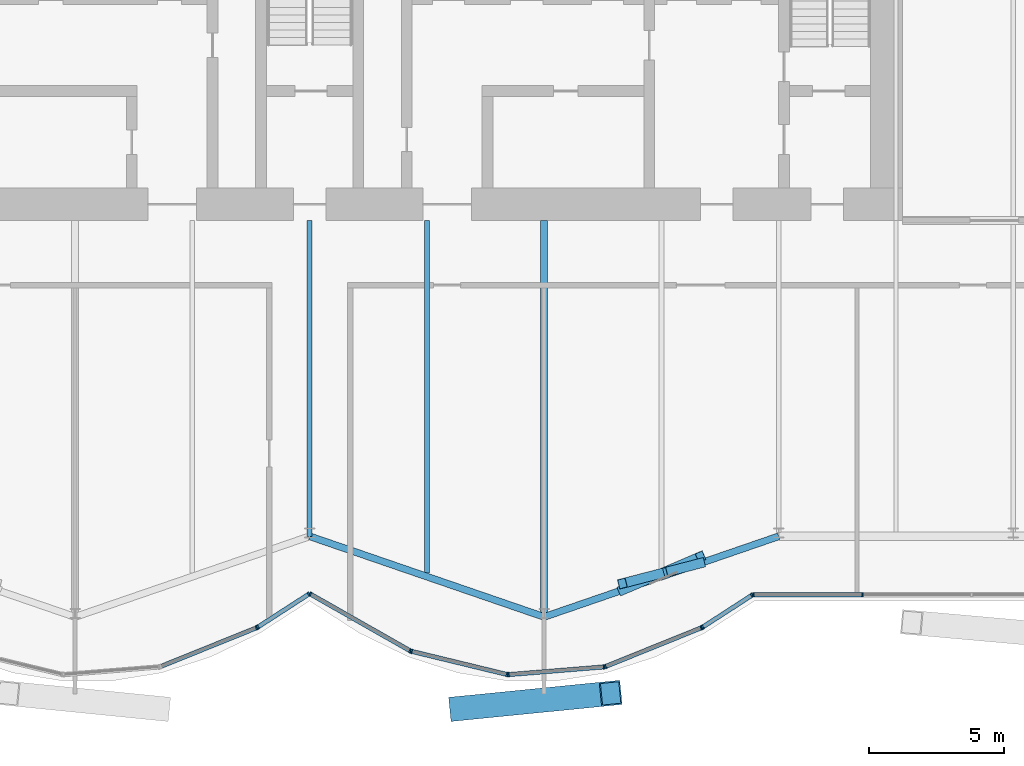
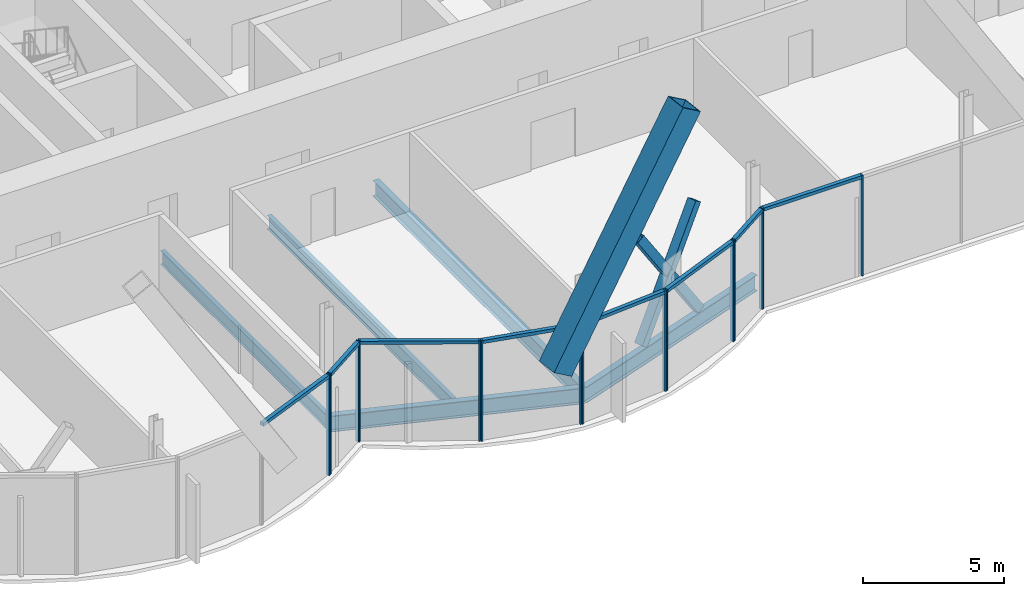
# One storey, part 8 of 19: 27 members, 5 beams, 3 elements without a shape of their own.
"""IFC4 building model written with IfcOpenShell, lengths in metres."""

from ifc_helpers import new_model, si_unit, direction, frame, origin, origin_2d, place, context, subcontext, project, spatial, rectangle, hollow_rectangle, i_section, extrude, material, material_profile, profile_set, type_object, element, aggregate, save


model = new_model("IFC4")

# Units and contexts
model_context = context("Model", 3, precision=1e-05, world=origin(), true_north=direction((0.0, 1.0)))
body_context = subcontext(model_context, "Body", "Model", "MODEL_VIEW")
ifc_project = project(units=[si_unit("LENGTHUNIT", "METRE"), si_unit("AREAUNIT", "SQUARE_METRE"), si_unit("VOLUMEUNIT", "CUBIC_METRE"), si_unit("PLANEANGLEUNIT", "RADIAN"), si_unit("MASSUNIT", "GRAM", prefix="KILO")], contexts=[model_context])

# Site, building, storey
site_placement = place(None, origin())
site = spatial("IfcSite", under=ifc_project, at=site_placement, CompositionType="ELEMENT")
building_placement = place(site_placement, origin())
building = spatial("IfcBuilding", under=site, at=building_placement, Name="Bicima Exchange Tower", CompositionType="ELEMENT")
storey_placement = place(building_placement, frame((0.0, 0.0, 297.5)))
storey = spatial("IfcBuildingStorey", under=building, at=storey_placement, Name="L67", CompositionType="ELEMENT", Elevation=297.5)

# Member
ifc_material_1 = material(Name="Steel ASTM A572 Gr 50", Category="steel")
ifc_material_profile_1 = material_profile(ifc_material_1, hollow_rectangle(XDim=0.89990234375, YDim=0.89990234375, WallThickness=0.050048828125, at=origin_2d()))
ifc_profile_set_1 = profile_set([ifc_material_profile_1], Name="Steel ASTM A572 Gr 50")
member_type_1 = type_object("IfcMemberType", Name="Exo mega brace BOX 900x900x50", PredefinedType="BRACE", material=ifc_profile_set_1)
member_1_placement = place(storey_placement, frame((5.583251953125, -31.099609375, 3.74169921875), z_axis=(0.520539911321, 0.051940187041, 0.852256075186), x_axis=(-0.099288323896, 0.995058706177, 0.0)))
element("IfcMember", 1, at=member_1_placement, inside=storey, type_object=member_type_1, Name="Exo mega brace front", PredefinedType="BRACE", context=body_context, shape_type="SweptSolid", body=[
    extrude(hollow_rectangle(XDim=0.89990234375, YDim=0.89990234375, WallThickness=0.050048828125, at=origin_2d()), origin(), (0.0, 0.0, 1.0), 10.726318359375),
])

# Beams
ifc_material_2 = material(Name="Steel ASTM A992 Gr 50", Category="steel")
ifc_material_profile_2 = material_profile(ifc_material_2, i_section(OverallWidth=0.177978515625, OverallDepth=0.599365234375, WebThickness=0.010009765625, FlangeThickness=0.012939453125, at=origin_2d()))
ifc_profile_set_2 = profile_set([ifc_material_profile_2], Name="Steel ASTM A992 Gr 50")
beam_type_1 = type_object("IfcBeamType", Name="Floor beam W24x55", PredefinedType="JOIST", material=ifc_profile_set_2)
beam_1_placement = place(storey_placement, frame((0.0, -13.0, -0.44970703125), z_axis=(0.0, -1.0, 0.0), x_axis=(1.0, 0.0, 0.0)))
element("IfcBeam", 2, at=beam_1_placement, inside=storey, type_object=beam_type_1, Name="Floor beam", PredefinedType="JOIST", context=body_context, shape_type="SweptSolid", body=[
    extrude(i_section(OverallWidth=0.177978515625, OverallDepth=0.599365234375, WebThickness=0.010009765625, FlangeThickness=0.012939453125, at=origin_2d()), origin(), (0.0, 0.0, 1.0), 11.716064453125),
])
beam_2_placement = place(storey_placement, frame((4.35009765625, -13.0, -0.44970703125), z_axis=(0.0, -1.0, 0.0), x_axis=(1.0, 0.0, 0.0)))
element("IfcBeam", 3, at=beam_2_placement, inside=storey, type_object=beam_type_1, Name="Floor beam", PredefinedType="JOIST", context=body_context, shape_type="SweptSolid", body=[
    extrude(i_section(OverallWidth=0.177978515625, OverallDepth=0.599365234375, WebThickness=0.010009765625, FlangeThickness=0.012939453125, at=origin_2d()), origin(), (0.0, 0.0, 1.0), 13.075927734375),
])
ifc_material_profile_3 = material_profile(ifc_material_2, i_section(OverallWidth=0.25390625, OverallDepth=0.67822265625, WebThickness=0.01171875, FlangeThickness=0.016357421875, at=origin_2d()))
ifc_profile_set_3 = profile_set([ifc_material_profile_3], Name="Steel ASTM A992 Gr 50")
beam_type_2 = type_object("IfcBeamType", Name="Floor beam W27x84", PredefinedType="JOIST", material=ifc_profile_set_3)
beam_3_placement = place(storey_placement, frame((8.699951171875, -13.0, -0.489013671875), z_axis=(0.0, -1.0, 0.0), x_axis=(1.0, 0.0, 0.0)))
element("IfcBeam", 4, at=beam_3_placement, inside=storey, type_object=beam_type_2, Name="Floor beam", PredefinedType="JOIST", context=body_context, shape_type="SweptSolid", body=[
    extrude(i_section(OverallWidth=0.25390625, OverallDepth=0.67822265625, WebThickness=0.01171875, FlangeThickness=0.016357421875, at=origin_2d()), origin(), (0.0, 0.0, 1.0), 14.5712890625),
])
ifc_material_profile_4 = material_profile(ifc_material_2, i_section(OverallWidth=0.256591796875, OverallDepth=0.693359375, WebThickness=0.014404296875, FlangeThickness=0.023681640625, at=origin_2d()))
ifc_profile_set_4 = profile_set([ifc_material_profile_4], Name="Steel ASTM A992 Gr 50")
beam_type_3 = type_object("IfcBeamType", Name="Front girder W27x114", PredefinedType="BEAM", material=ifc_profile_set_4)
for number, where, z_axis, x_axis, name in (
    (5, (0.0, -24.716064453125, -0.49658203125), (0.945674616091, -0.32511462668, 0.0), (0.32511462668, 0.945674616091, 0.0), "Front girder"),
    (6, (8.699951171875, -27.70703125, -0.49658203125), (0.945674616091, 0.32511462668, 0.0), (-0.32511462668, 0.945674616091, 0.0), "Front girder"),
):
    element("IfcBeam", number, at=place(storey_placement, frame(where, z_axis=z_axis, x_axis=x_axis)), inside=storey, type_object=beam_type_3, Name=name, PredefinedType="BEAM", context=body_context, shape_type="SweptSolid", body=[
        extrude(i_section(OverallWidth=0.256591796875, OverallDepth=0.693359375, WebThickness=0.014404296875, FlangeThickness=0.023681640625, at=origin_2d()), origin(), (0.0, 0.0, 1.0), 9.19970703125),
    ])

# Curtain wall, members
ifc_material_3 = material(Name="Anodised bronze aluminium", Category="aluminium")
curtain_wall_type = type_object("IfcCurtainWallType", Name="Front glass wall", PredefinedType="NOTDEFINED", material=ifc_material_3)
curtain_wall_1_placement = place(storey_placement, origin())
curtain_wall_1 = element("IfcCurtainWall", 7, at=curtain_wall_1_placement, inside=storey, type_object=curtain_wall_type, Name="Front glass wall L67 run 6", PredefinedType="NOTDEFINED")
ifc_material_profile_5 = material_profile(ifc_material_3, rectangle(XDim=0.159912109375, YDim=0.06005859375, at=origin_2d()))
ifc_profile_set_5 = profile_set([ifc_material_profile_5], Name="Anodised bronze aluminium")
member_type_2 = type_object("IfcMemberType", Name="Front glass wall mullion 60 x 160", PredefinedType="MULLION", material=ifc_profile_set_5)
member_2_placement = place(storey_placement, frame((-1.97412109375, -28.111572265625, 0.0), z_axis=(0.0, 0.0, 1.0), x_axis=(-0.374705304, 0.92714396679, 0.0)))
member_2 = element("IfcMember", 8, at=member_2_placement, type_object=member_type_2, Name="Front glass wall mullion 2", PredefinedType="MULLION", context=body_context, shape_type="SweptSolid", body=[
    extrude(rectangle(XDim=0.159912109375, YDim=0.06005859375, at=origin_2d()), origin(), (0.0, 0.0, 1.0), 4.35009765625),
])
member_3_placement = place(storey_placement, frame((-1.921142578125, -28.083984375, 0.0), z_axis=(0.0, 0.0, 1.0), x_axis=(-0.542897457326, 0.839798994301, 0.0)))
member_3 = element("IfcMember", 9, at=member_3_placement, type_object=member_type_2, Name="Front glass wall mullion 1", PredefinedType="MULLION", context=body_context, shape_type="SweptSolid", body=[
    extrude(rectangle(XDim=0.159912109375, YDim=0.06005859375, at=origin_2d()), origin(), (0.0, 0.0, 1.0), 4.35009765625),
])
member_4_placement = place(storey_placement, frame((-0.025146484375, -26.8583984375, 0.0), z_axis=(0.0, 0.0, 1.0), x_axis=(-0.542897457326, 0.839798994301, 0.0)))
member_4 = element("IfcMember", 10, at=member_4_placement, type_object=member_type_2, Name="Front glass wall mullion 2", PredefinedType="MULLION", context=body_context, shape_type="SweptSolid", body=[
    extrude(rectangle(XDim=0.159912109375, YDim=0.06005859375, at=origin_2d()), origin(), (0.0, 0.0, 1.0), 4.35009765625),
])

curtain_wall_2_placement = place(storey_placement, origin())
curtain_wall_2 = element("IfcCurtainWall", 11, at=curtain_wall_2_placement, inside=storey, type_object=curtain_wall_type, Name="Front glass wall L67 run 11", PredefinedType="NOTDEFINED")
member_5_placement = place(storey_placement, frame((0.026123046875, -26.85693359375, 0.0), z_axis=(0.0, 0.0, 1.0), x_axis=(0.494330311331, 0.869274147378, 0.0)))
member_5 = element("IfcMember", 12, at=member_5_placement, type_object=member_type_2, Name="Front glass wall mullion 1", PredefinedType="MULLION", context=body_context, shape_type="SweptSolid", body=[
    extrude(rectangle(XDim=0.159912109375, YDim=0.06005859375, at=origin_2d()), origin(), (0.0, 0.0, 1.0), 4.35009765625),
])
member_6_placement = place(storey_placement, frame((3.7265625, -28.96142578125, 0.0), z_axis=(0.0, 0.0, 1.0), x_axis=(0.494330311331, 0.869274147378, 0.0)))
member_6 = element("IfcMember", 13, at=member_6_placement, type_object=member_type_2, Name="Front glass wall mullion 2", PredefinedType="MULLION", context=body_context, shape_type="SweptSolid", body=[
    extrude(rectangle(XDim=0.159912109375, YDim=0.06005859375, at=origin_2d()), origin(), (0.0, 0.0, 1.0), 4.35009765625),
])
member_7_placement = place(storey_placement, frame((3.781982421875, -28.9833984375, 0.0), z_axis=(0.0, 0.0, 1.0), x_axis=(0.235681529503, 0.971830343553, 0.0)))
member_7 = element("IfcMember", 14, at=member_7_placement, type_object=member_type_2, Name="Front glass wall mullion 1", PredefinedType="MULLION", context=body_context, shape_type="SweptSolid", body=[
    extrude(rectangle(XDim=0.159912109375, YDim=0.06005859375, at=origin_2d()), origin(), (0.0, 0.0, 1.0), 4.35009765625),
])
member_8_placement = place(storey_placement, frame((7.322509765625, -29.841796875, 0.0), z_axis=(0.0, 0.0, 1.0), x_axis=(0.235681529503, 0.971830343553, 0.0)))
member_8 = element("IfcMember", 15, at=member_8_placement, type_object=member_type_2, Name="Front glass wall mullion 2", PredefinedType="MULLION", context=body_context, shape_type="SweptSolid", body=[
    extrude(rectangle(XDim=0.159912109375, YDim=0.06005859375, at=origin_2d()), origin(), (0.0, 0.0, 1.0), 4.35009765625),
])
member_9_placement = place(storey_placement, frame((7.381591796875, -29.8466796875, 0.0), z_axis=(0.0, 0.0, 1.0), x_axis=(-0.080588612633, 0.99674744821, 0.0)))
member_9 = element("IfcMember", 16, at=member_9_placement, type_object=member_type_2, Name="Front glass wall mullion 1", PredefinedType="MULLION", context=body_context, shape_type="SweptSolid", body=[
    extrude(rectangle(XDim=0.159912109375, YDim=0.06005859375, at=origin_2d()), origin(), (0.0, 0.0, 1.0), 4.35009765625),
])
member_10_placement = place(storey_placement, frame((10.916015625, -29.560791015625, 0.0), z_axis=(0.0, 0.0, 1.0), x_axis=(-0.080588612633, 0.99674744821, 0.0)))
member_10 = element("IfcMember", 17, at=member_10_placement, type_object=member_type_2, Name="Front glass wall mullion 2", PredefinedType="MULLION", context=body_context, shape_type="SweptSolid", body=[
    extrude(rectangle(XDim=0.159912109375, YDim=0.06005859375, at=origin_2d()), origin(), (0.0, 0.0, 1.0), 4.35009765625),
])
member_11_placement = place(storey_placement, frame((10.973876953125, -29.547119140625, 0.0), z_axis=(0.0, 0.0, 1.0), x_axis=(-0.374705304, 0.92714396679, 0.0)))
member_11 = element("IfcMember", 18, at=member_11_placement, type_object=member_type_2, Name="Front glass wall mullion 1", PredefinedType="MULLION", context=body_context, shape_type="SweptSolid", body=[
    extrude(rectangle(XDim=0.159912109375, YDim=0.06005859375, at=origin_2d()), origin(), (0.0, 0.0, 1.0), 4.35009765625),
])
member_12_placement = place(storey_placement, frame((14.52587890625, -28.111572265625, 0.0), z_axis=(0.0, 0.0, 1.0), x_axis=(-0.374705304, 0.92714396679, 0.0)))
member_12 = element("IfcMember", 19, at=member_12_placement, type_object=member_type_2, Name="Front glass wall mullion 2", PredefinedType="MULLION", context=body_context, shape_type="SweptSolid", body=[
    extrude(rectangle(XDim=0.159912109375, YDim=0.06005859375, at=origin_2d()), origin(), (0.0, 0.0, 1.0), 4.35009765625),
])
member_13_placement = place(storey_placement, frame((14.578857421875, -28.083984375, 0.0), z_axis=(0.0, 0.0, 1.0), x_axis=(-0.542909183079, 0.839791413941, 0.0)))
member_13 = element("IfcMember", 20, at=member_13_placement, type_object=member_type_2, Name="Front glass wall mullion 1", PredefinedType="MULLION", context=body_context, shape_type="SweptSolid", body=[
    extrude(rectangle(XDim=0.159912109375, YDim=0.06005859375, at=origin_2d()), origin(), (0.0, 0.0, 1.0), 4.35009765625),
])
member_14_placement = place(storey_placement, frame((16.406982421875, -26.90234375, 0.0), z_axis=(0.0, 0.0, 1.0), x_axis=(-0.542909183079, 0.839791413941, 0.0)))
member_14 = element("IfcMember", 21, at=member_14_placement, type_object=member_type_2, Name="Front glass wall mullion 2", PredefinedType="MULLION", context=body_context, shape_type="SweptSolid", body=[
    extrude(rectangle(XDim=0.159912109375, YDim=0.06005859375, at=origin_2d()), origin(), (0.0, 0.0, 1.0), 4.35009765625),
])

curtain_wall_3_placement = place(storey_placement, origin())
curtain_wall_3 = element("IfcCurtainWall", 22, at=curtain_wall_3_placement, inside=storey, type_object=curtain_wall_type, Name="Front glass wall L67 run 16", PredefinedType="NOTDEFINED")
member_15_placement = place(storey_placement, frame((16.462158203125, -26.885986328125, 0.0), z_axis=(0.0, 0.0, 1.0), x_axis=(0.0, 1.0, 0.0)))
member_15 = element("IfcMember", 23, at=member_15_placement, type_object=member_type_2, Name="Front glass wall mullion 1", PredefinedType="MULLION", context=body_context, shape_type="SweptSolid", body=[
    extrude(rectangle(XDim=0.159912109375, YDim=0.06005859375, at=origin_2d()), origin(), (0.0, 0.0, 1.0), 4.35009765625),
])
member_16_placement = place(storey_placement, frame((20.51171875, -26.885986328125, 0.0), z_axis=(0.0, 0.0, 1.0), x_axis=(0.0, 1.0, 0.0)))
member_16 = element("IfcMember", 24, at=member_16_placement, type_object=member_type_2, Name="Front glass wall mullion 2", PredefinedType="MULLION", context=body_context, shape_type="SweptSolid", body=[
    extrude(rectangle(XDim=0.159912109375, YDim=0.06005859375, at=origin_2d()), origin(), (0.0, 0.0, 1.0), 4.35009765625),
])

# Member
ifc_material_profile_6 = material_profile(ifc_material_3, rectangle(XDim=0.159912109375, YDim=0.139892578125, at=origin_2d()))
ifc_profile_set_6 = profile_set([ifc_material_profile_6], Name="Anodised bronze aluminium")
member_type_3 = type_object("IfcMemberType", Name="Front glass wall transom 140 x 160", PredefinedType="USERDEFINED", material=ifc_profile_set_6)
member_17_placement = place(storey_placement, frame((-5.498291015625, -29.535888671875, 4.280029296875), z_axis=(0.927140215882, 0.374714584842, 0.0), x_axis=(-0.374714584842, 0.927140215882, 0.0)))
member_17 = element("IfcMember", 25, at=member_17_placement, type_object=member_type_3, Name="Front glass wall transom 1.1", ObjectType="TRANSOM", PredefinedType="USERDEFINED", context=body_context, shape_type="SweptSolid", body=[
    extrude(rectangle(XDim=0.159912109375, YDim=0.139892578125, at=origin_2d()), origin(), (0.0, 0.0, 1.0), 3.77099609375),
])

member_18_placement = place(storey_placement, frame((-1.89599609375, -28.06787109375, 4.280029296875), z_axis=(0.839811483481, 0.542878137536, 0.0), x_axis=(-0.542878137536, 0.839811483481, 0.0)))
member_18 = element("IfcMember", 26, at=member_18_placement, type_object=member_type_3, Name="Front glass wall transom 1.1", ObjectType="TRANSOM", PredefinedType="USERDEFINED", context=body_context, shape_type="SweptSolid", body=[
    extrude(rectangle(XDim=0.159912109375, YDim=0.139892578125, at=origin_2d()), origin(), (0.0, 0.0, 1.0), 2.19775390625),
])

aggregate(curtain_wall_1, [member_2, member_17, member_3, member_4, member_18])

member_19_placement = place(storey_placement, frame((0.05224609375, -26.871826171875, 4.280029296875), z_axis=(0.869265121745, -0.494346182466, 0.0), x_axis=(0.494346182466, 0.869265121745, 0.0)))
member_19 = element("IfcMember", 27, at=member_19_placement, type_object=member_type_3, Name="Front glass wall transom 1.1", ObjectType="TRANSOM", PredefinedType="USERDEFINED", context=body_context, shape_type="SweptSolid", body=[
    extrude(rectangle(XDim=0.159912109375, YDim=0.139892578125, at=origin_2d()), origin(), (0.0, 0.0, 1.0), 4.19677734375),
])

member_20_placement = place(storey_placement, frame((3.81103515625, -28.990234375, 4.280029296875), z_axis=(0.971817951661, -0.235732621477, 0.0), x_axis=(0.235732621477, 0.971817951661, 0.0)))
member_20 = element("IfcMember", 28, at=member_20_placement, type_object=member_type_3, Name="Front glass wall transom 1.1", ObjectType="TRANSOM", PredefinedType="USERDEFINED", context=body_context, shape_type="SweptSolid", body=[
    extrude(rectangle(XDim=0.159912109375, YDim=0.139892578125, at=origin_2d()), origin(), (0.0, 0.0, 1.0), 3.58349609375),
])

member_21_placement = place(storey_placement, frame((7.41162109375, -29.84423828125, 4.280029296875), z_axis=(0.9967456465, 0.080610893699, 0.0), x_axis=(-0.080610893699, 0.9967456465, 0.0)))
member_21 = element("IfcMember", 29, at=member_21_placement, type_object=member_type_3, Name="Front glass wall transom 1.1", ObjectType="TRANSOM", PredefinedType="USERDEFINED", context=body_context, shape_type="SweptSolid", body=[
    extrude(rectangle(XDim=0.159912109375, YDim=0.139892578125, at=origin_2d()), origin(), (0.0, 0.0, 1.0), 3.48583984375),
])

member_22_placement = place(storey_placement, frame((11.001708984375, -29.535888671875, 4.280029296875), z_axis=(0.927140215882, 0.374714584842, 0.0), x_axis=(-0.374714584842, 0.927140215882, 0.0)))
member_22 = element("IfcMember", 30, at=member_22_placement, type_object=member_type_3, Name="Front glass wall transom 1.1", ObjectType="TRANSOM", PredefinedType="USERDEFINED", context=body_context, shape_type="SweptSolid", body=[
    extrude(rectangle(XDim=0.159912109375, YDim=0.139892578125, at=origin_2d()), origin(), (0.0, 0.0, 1.0), 3.77099609375),
])

member_23_placement = place(storey_placement, frame((14.60400390625, -28.06787109375, 4.280029296875), z_axis=(0.839792890287, 0.542906899407, 0.0), x_axis=(-0.542906899407, 0.839792890287, 0.0)))
member_23 = element("IfcMember", 31, at=member_23_placement, type_object=member_type_3, Name="Front glass wall transom 1.1", ObjectType="TRANSOM", PredefinedType="USERDEFINED", context=body_context, shape_type="SweptSolid", body=[
    extrude(rectangle(XDim=0.159912109375, YDim=0.139892578125, at=origin_2d()), origin(), (0.0, 0.0, 1.0), 2.11669921875),
])

aggregate(curtain_wall_2, [member_5, member_6, member_19, member_7, member_8, member_20, member_9, member_10, member_21, member_11, member_12, member_22, member_13, member_14, member_23])

member_24_placement = place(storey_placement, frame((16.4921875, -26.885986328125, 4.280029296875), z_axis=(1.0, 0.0, 0.0), x_axis=(0.0, 1.0, 0.0)))
member_24 = element("IfcMember", 32, at=member_24_placement, type_object=member_type_3, Name="Front glass wall transom 1.1", ObjectType="TRANSOM", PredefinedType="USERDEFINED", context=body_context, shape_type="SweptSolid", body=[
    extrude(rectangle(XDim=0.159912109375, YDim=0.139892578125, at=origin_2d()), origin(), (0.0, 0.0, 1.0), 3.989501953125),
])

aggregate(curtain_wall_3, [member_15, member_16, member_24])

# Members
ifc_material_profile_7 = material_profile(ifc_material_1, hollow_rectangle(XDim=0.355712890625, YDim=0.355712890625, WallThickness=0.01171875, at=origin_2d()))
ifc_profile_set_7 = profile_set([ifc_material_profile_7], Name="Steel ASTM A572 Gr 50")
member_type_4 = type_object("IfcMemberType", Name="Mega brace HSS14x14x1/2", PredefinedType="BRACE", material=ifc_profile_set_7)
member_25_placement = place(storey_placement, frame((11.60009765625, -26.7099609375, 0.0), z_axis=(0.527696221197, 0.225819152412, 0.818866538905), x_axis=(-0.393424148395, 0.919357079409, 0.0)))
element("IfcMember", 33, at=member_25_placement, inside=storey, type_object=member_type_4, Name="Mega brace front", PredefinedType="BRACE", context=body_context, shape_type="SweptSolid", body=[
    extrude(hollow_rectangle(XDim=0.355712890625, YDim=0.355712890625, WallThickness=0.01171875, at=origin_2d()), origin(), (0.0, 0.0, 1.0), 5.495361328125),
])
for number, where, z_axis, x_axis, name in (
    (34, (14.5, -25.712890625, 0.0), (-0.536407013702, -0.139371717069, 0.832371936175), (0.251474799402, -0.96786384645, 0.0), "Mega brace front"),
    (35, (12.99169921875, -26.104736328125, 2.340576171875), (-0.536414046864, -0.13927943673, 0.832382849914), (0.251315726663, -0.967905163501, 0.0), "Mega brace front"),
):
    element("IfcMember", number, at=place(storey_placement, frame(where, z_axis=z_axis, x_axis=x_axis)), inside=storey, type_object=member_type_4, Name=name, PredefinedType="BRACE", context=body_context, shape_type="SweptSolid", body=[
        extrude(hollow_rectangle(XDim=0.355712890625, YDim=0.355712890625, WallThickness=0.01171875, at=origin_2d()), origin(), (0.0, 0.0, 1.0), 2.59423828125),
    ])

save(model, "model.ifc")
